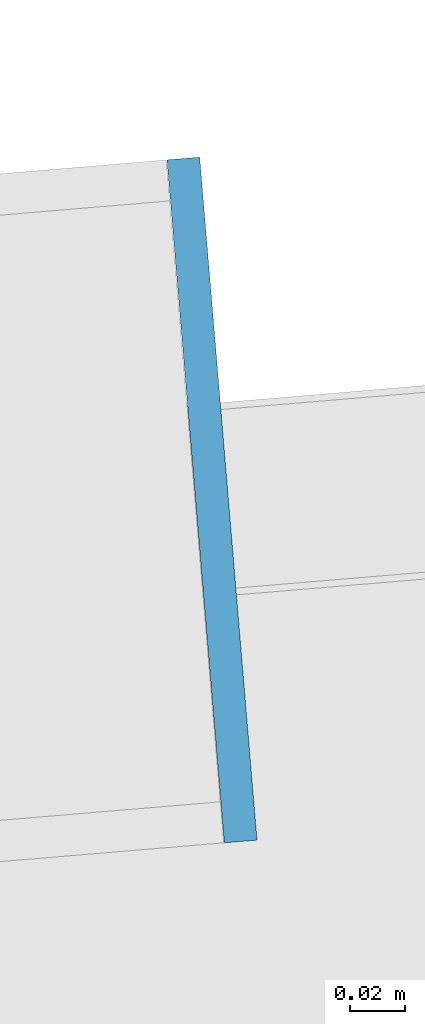
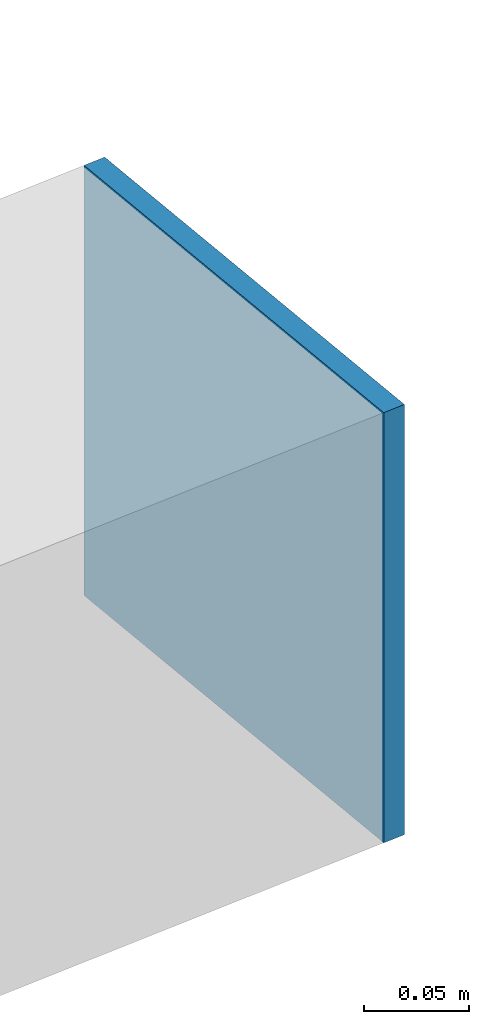
# One storey, part 41 of 46: 1 plate.
"""IFC4 building model written with IfcOpenShell, lengths in metres."""

from ifc_helpers import new_model, si_unit, direction, frame, origin, origin_2d, place, context, subcontext, project, spatial, rectangle, extrude, source, transform, mapped, material, layer, layer_set, type_object, element, save


model = new_model("IFC4")

# Units and contexts
model_context = context("Model", 3, precision=1e-05, world=origin(), true_north=direction((0.0, 1.0)))
body_context = subcontext(model_context, "Body", "Model", "MODEL_VIEW")
ifc_project = project(units=[si_unit("LENGTHUNIT", "METRE"), si_unit("AREAUNIT", "SQUARE_METRE"), si_unit("VOLUMEUNIT", "CUBIC_METRE"), si_unit("PLANEANGLEUNIT", "RADIAN"), si_unit("MASSUNIT", "GRAM", prefix="KILO")], contexts=[model_context])

# Site, building, storey
site_placement = place(None, origin())
site = spatial("IfcSite", under=ifc_project, at=site_placement, CompositionType="ELEMENT")
building_placement = place(site_placement, origin())
building = spatial("IfcBuilding", under=site, at=building_placement, Name="Taldren Reach Tower", CompositionType="ELEMENT")
storey_placement = place(building_placement, frame((0.0, 0.0, 188.300048828125)))
storey = spatial("IfcBuildingStorey", under=building, at=storey_placement, Name="L57", CompositionType="ELEMENT", Elevation=188.300048828125)

# Plate
ifc_material = material(Name="Steel Gr 350 (C350L0)", Category="steel")
ifc_layer = layer(ifc_material, 0.011962890625)
ifc_layer_set = layer_set([ifc_layer], Name="Steel Gr 350 (C350L0)")
plate_type = type_object("IfcPlateType", Name="PL-CAP-250", PredefinedType="SHEET", material=ifc_layer_set)
shared_shape = source(origin(), body_context, "Body", "SweptSolid", [
    extrude(rectangle(XDim=0.011962890625, YDim=0.25, at=origin_2d()), origin(), (0.0, 0.0, 1.0), 0.25),
])
plate_placement = place(storey_placement, frame((61.14697265625, 33.76220703125, 0.094970703125), z_axis=(0.0, 0.0, 1.0), x_axis=(0.99649285925, 0.083677843332, 0.0)))
element("IfcPlate", 1, at=plate_placement, inside=storey, type_object=plate_type, Name="Tie strut end cap plate B4-E3 L57", PredefinedType="SHEET", context=body_context, shape_type="MappedRepresentation", body=[
    mapped(shared_shape, transform((0.0, 0.0, 0.0), scale=1.0)),
])

save(model, "model.ifc")
